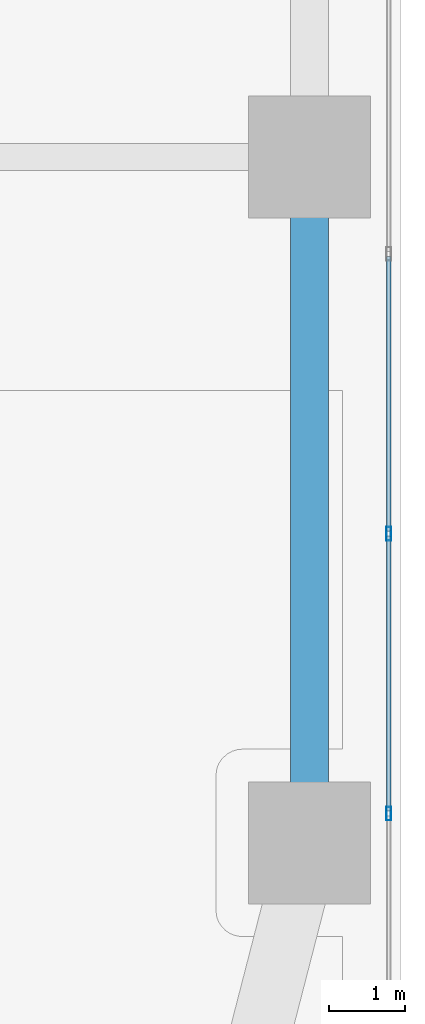
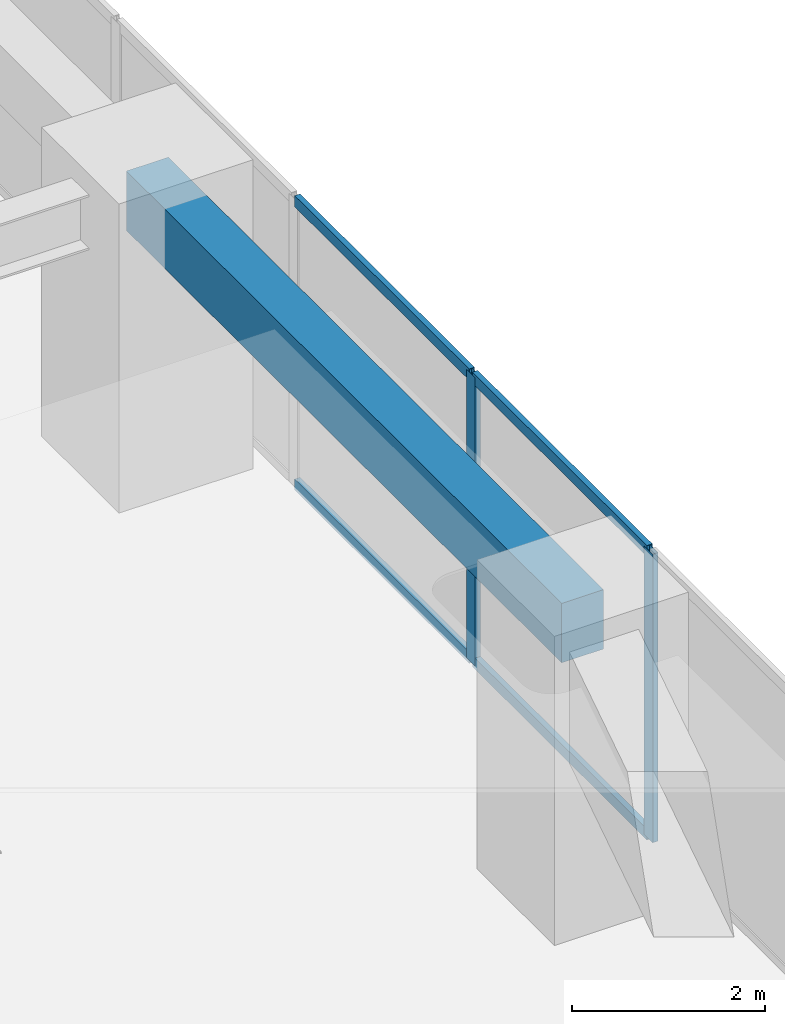
# One storey, part 6 of 29: 6 members, 1 beam, 1 element without a shape of its own.
"""IFC4 building model written with IfcOpenShell, lengths in metres."""

import ifcopenshell
import ifcopenshell.guid

model = None  # the IFC model being written
_history = None  # IfcOwnerHistory: only IFC2X3 demands one
_inside = {}  # id of a spatial element -> (the spatial element, [elements in it])
_under = {}  # id of a project, library or spatial element -> (it, [spatial elements below it])
_declared = {}  # id of a project -> (the project, [libraries it declares])
_typed = {}  # id of a type object -> (the type object, [elements of that type])
_made_of = {}  # id of a material, layer set ... -> (it, [elements and type objects made of it])


def new_model(schema):
    """Start an empty IFC model of exactly this schema.

    Asked for "IFC4X3", IfcOpenShell would pick the latest addendum, in which some entities
    have other attributes; the version numbers below select the first issue.
    IFC2X3 requires an IfcOwnerHistory on every rooted entity: one is made here for all.
    """
    global model, _history
    if schema == "IFC4X3":
        model = ifcopenshell.file(schema_version=(4, 3, 0, 0))
    else:
        model = ifcopenshell.file(schema=schema)
    _inside.clear()
    _under.clear()
    _declared.clear()
    _typed.clear()
    _made_of.clear()
    _history = None
    if model.schema == "IFC2X3":
        org = make("IfcOrganization", Name="unknown")
        user = make(
            "IfcPersonAndOrganization",
            ThePerson=make("IfcPerson", FamilyName="unknown"),
            TheOrganization=org,
        )
        app = make(
            "IfcApplication",
            ApplicationDeveloper=org,
            Version="unknown",
            ApplicationFullName="unknown",
            ApplicationIdentifier="unknown",
        )
        _history = make(
            "IfcOwnerHistory",
            OwningUser=user,
            OwningApplication=app,
            ChangeAction="ADDED",
            CreationDate=0,
        )
    return model


def make(cls, **values):
    """One entity of the class cls with the attributes given. An attribute that is None is left unset."""
    return model.create_entity(
        cls, **{name: value for name, value in values.items() if value is not None}
    )


def rooted(cls, **values):
    """An entity with a GlobalId (a new one), such as an element, a storey or a relation."""
    return make(cls, GlobalId=ifcopenshell.guid.new(), OwnerHistory=_history, **values)


def si_unit(unit_type, name, prefix=None):
    """IfcSIUnit, for example si_unit("LENGTHUNIT", "METRE", prefix="MILLI")."""
    return make("IfcSIUnit", UnitType=unit_type, Prefix=prefix, Name=name)


def assignment(units):
    """IfcUnitAssignment: the units of a project."""
    return None if units is None else make("IfcUnitAssignment", Units=units)


def point(xyz):
    """IfcCartesianPoint."""
    return None if xyz is None else make("IfcCartesianPoint", Coordinates=xyz)


def direction(xyz):
    """IfcDirection."""
    return None if xyz is None else make("IfcDirection", DirectionRatios=xyz)


def frame(location, z_axis=None, x_axis=None):
    """IfcAxis2Placement3D, a coordinate frame: its origin and axes. An axis left out is left unset."""
    return make(
        "IfcAxis2Placement3D",
        Location=point(location),
        Axis=direction(z_axis),
        RefDirection=direction(x_axis),
    )


def frame_2d(location, x_axis=None):
    """IfcAxis2Placement2D, a coordinate frame in the plane: its origin and x axis."""
    return make(
        "IfcAxis2Placement2D", Location=point(location), RefDirection=direction(x_axis)
    )


def origin():
    """The frame at (0, 0, 0) with its axes left unset."""
    return frame((0.0, 0.0, 0.0))


def origin_2d():
    """The frame at (0, 0) in the plane with its x axis left unset."""
    return frame_2d((0.0, 0.0))


def place(relative_to, where):
    """IfcLocalPlacement: puts the frame where relative to a parent placement (None: the world)."""
    return make(
        "IfcLocalPlacement", PlacementRelTo=relative_to, RelativePlacement=where
    )


def context(
    kind, dimensions, precision=None, world=None, true_north=None, identifier=None
):
    """IfcGeometricRepresentationContext, for example the 3D "Model" context."""
    return make(
        "IfcGeometricRepresentationContext",
        ContextIdentifier=identifier,
        ContextType=kind,
        CoordinateSpaceDimension=dimensions,
        Precision=precision,
        WorldCoordinateSystem=world,
        TrueNorth=true_north,
    )


def subcontext(parent, identifier, kind, view, scale=None):
    """IfcGeometricRepresentationSubContext, for example "Body" below "Model"."""
    return make(
        "IfcGeometricRepresentationSubContext",
        ContextIdentifier=identifier,
        ContextType=kind,
        ParentContext=parent,
        TargetScale=scale,
        TargetView=view,
    )


def project(units=None, contexts=None):
    """IfcProject with its units and contexts."""
    return rooted(
        "IfcProject",
        Name="project",
        RepresentationContexts=contexts,
        UnitsInContext=assignment(units),
    )


def spatial(cls, under=None, at=None, **own):
    """A site, building, storey or space (cls), placed at a placement, below another one or the project."""
    s = rooted(cls, ObjectPlacement=at, **own)
    if under is not None:
        _under.setdefault(under.id(), (under, []))[1].append(s)
    return s


def profile(cls, at=None, kind="AREA", **sizes):
    """A parametric profile (cls). Its sizes go by their IFC names, for example OverallWidth=200.0."""
    return make(cls, ProfileType=kind, Position=at, **sizes)


def rectangle(**sizes):
    """IfcRectangleProfileDef."""
    return profile("IfcRectangleProfileDef", **sizes)


def hollow_rectangle(**sizes):
    """IfcRectangleHollowProfileDef."""
    return profile("IfcRectangleHollowProfileDef", **sizes)


def extrude(swept, where, along, depth):
    """IfcExtrudedAreaSolid: the profile swept, set in the frame where, extruded along a direction by depth."""
    return make(
        "IfcExtrudedAreaSolid",
        SweptArea=swept,
        Position=where,
        ExtrudedDirection=direction(along),
        Depth=depth,
    )


def shape(context_of_items, identifier, shape_type, items):
    """IfcShapeRepresentation: the items that make up one representation, for example the "Body"."""
    return make(
        "IfcShapeRepresentation",
        ContextOfItems=context_of_items,
        RepresentationIdentifier=identifier,
        RepresentationType=shape_type,
        Items=items,
    )


def material(Name=None, Category=None):
    """IfcMaterial."""
    return make("IfcMaterial", Name=Name, Category=Category)


def layer(
    of_material, thickness, ventilated=None, Name=None, Category=None, Priority=None
):
    """IfcMaterialLayer: one layer of a wall or slab, of a material (None: an air gap)."""
    return make(
        "IfcMaterialLayer",
        Material=of_material,
        LayerThickness=thickness,
        IsVentilated=ventilated,
        Name=Name,
        Category=Category,
        Priority=Priority,
    )


def layer_set(layers, Name=None):
    """IfcMaterialLayerSet."""
    return make("IfcMaterialLayerSet", MaterialLayers=layers, LayerSetName=Name)


def material_profile(
    of_material, cross_section, Name=None, Category=None, Priority=None
):
    """IfcMaterialProfile: a cross section and its material."""
    return make(
        "IfcMaterialProfile",
        Name=Name,
        Material=of_material,
        Profile=cross_section,
        Priority=Priority,
        Category=Category,
    )


def profile_set(profiles, Name=None, composite=None):
    """IfcMaterialProfileSet."""
    return make(
        "IfcMaterialProfileSet",
        Name=Name,
        MaterialProfiles=profiles,
        CompositeProfile=composite,
    )


def made_of(thing, what):
    """Note that an element or type object is made of a material, layer set ...; save() writes the relation."""
    if what is not None:
        _made_of.setdefault(what.id(), (what, []))[1].append(thing)
    return thing


def type_object(cls, material=None, **own):
    """A type object (cls), such as IfcWallType, which elements share."""
    return made_of(rooted(cls, **own), material)


def element(
    cls,
    number,
    at=None,
    inside=None,
    cuts=None,
    type_object=None,
    material=None,
    context=None,
    identifier="Body",
    shape_type=None,
    held_by="IfcProductDefinitionShape",
    body=None,
    shapes=None,
    **own,
):
    """One element of the class cls, such as IfcWall. Its Tag is "e" and its number.

    at: its placement. inside: the storey or other place that contains it. cuts: it is an
    opening in that element (IfcRelVoidsElement). A single representation is given by context,
    identifier, shape_type and body (its items); several are given by shapes. held_by: the class
    of the entity that holds the representations. save() writes the other relations.
    """
    e = rooted(cls, Tag="e%d" % number, ObjectPlacement=at, **own)
    if body is not None:
        shapes = [shape(context, identifier, shape_type, body)]
    if shapes is not None:
        e.Representation = make(held_by, Representations=shapes)
    if inside is not None:
        _inside.setdefault(inside.id(), (inside, []))[1].append(e)
    if cuts is not None:
        rooted(
            "IfcRelVoidsElement", RelatingBuildingElement=cuts, RelatedOpeningElement=e
        )
    if type_object is not None:
        _typed.setdefault(type_object.id(), (type_object, []))[1].append(e)
    return made_of(e, material)


def aggregate(whole, parts):
    """IfcRelAggregates: a whole, such as a stair, and the parts it consists of."""
    return rooted("IfcRelAggregates", RelatingObject=whole, RelatedObjects=parts)


def save(model, path):
    """Write the relations noted so far, then the file.

    IfcRelAggregates (storeys below a building ...), IfcRelContainedInSpatialStructure (elements
    in a storey), IfcRelDefinesByType, IfcRelAssociatesMaterial and IfcRelDeclares: one each for
    every whole, place, type object, material and project.
    """
    for whole, parts in _under.values():
        aggregate(whole, parts)
    for where, things in _inside.values():
        rooted(
            "IfcRelContainedInSpatialStructure",
            RelatedElements=things,
            RelatingStructure=where,
        )
    for kind, things in _typed.values():
        rooted("IfcRelDefinesByType", RelatedObjects=things, RelatingType=kind)
    for what, things in _made_of.values():
        rooted("IfcRelAssociatesMaterial", RelatedObjects=things, RelatingMaterial=what)
    for by, libraries in _declared.values():
        rooted("IfcRelDeclares", RelatingContext=by, RelatedDefinitions=libraries)
    model.write(path)


model = new_model("IFC4")

# Units and contexts
model_context = context("Model", 3, precision=1e-05, world=origin(), true_north=direction((0.0, 1.0)))
body_context = subcontext(model_context, "Body", "Model", "MODEL_VIEW")
ifc_project = project(units=[si_unit("LENGTHUNIT", "METRE"), si_unit("AREAUNIT", "SQUARE_METRE"), si_unit("VOLUMEUNIT", "CUBIC_METRE"), si_unit("PLANEANGLEUNIT", "RADIAN"), si_unit("MASSUNIT", "GRAM", prefix="KILO")], contexts=[model_context])

# Site, building, storey
site_placement = place(None, origin())
site = spatial("IfcSite", under=ifc_project, at=site_placement, CompositionType="ELEMENT")
building_placement = place(site_placement, origin())
building = spatial("IfcBuilding", under=site, at=building_placement, Name="Kiyonajd Concourse Tower", CompositionType="ELEMENT")
storey_placement = place(building_placement, frame((0.0, 0.0, 52.800048828125)))
storey = spatial("IfcBuildingStorey", under=building, at=storey_placement, Name="L14", CompositionType="ELEMENT", Elevation=52.800048828125)

# Beam
ifc_material_1 = material(Name="Precast concrete C50/60", Category="concrete")
ifc_material_profile_1 = material_profile(ifc_material_1, rectangle(XDim=0.5, YDim=0.75, at=origin_2d()), Name="RCBM-500x750")
ifc_profile_set_1 = profile_set([ifc_material_profile_1], Name="Precast concrete C50/60")
beam_type = type_object("IfcBeamType", Name="BM-SPAN-RC", PredefinedType="SPANDREL", material=ifc_profile_set_1)
beam_placement = place(storey_placement, frame((78.0, 18.60009765625, 3.264892578125), z_axis=(0.0, 1.0, 0.0), x_axis=(-1.0, 0.0, 0.0)))
element("IfcBeam", 1, at=beam_placement, inside=storey, type_object=beam_type, Name="L14 Perimeter Bundled Tube Spandrel", PredefinedType="SPANDREL", context=body_context, shape_type="SweptSolid", body=[
    extrude(rectangle(XDim=0.5, YDim=0.75, at=origin_2d()), origin(), (0.0, 0.0, 1.0), 9.0),
])

# Curtain wall, members
ifc_material_2 = material(Name="Thermally Broken Anodised Aluminium", Category="aluminium")
ifc_layer = layer(ifc_material_2, 0.179931640625)
ifc_layer_set = layer_set([ifc_layer], Name="Thermally Broken Anodised Aluminium")
curtain_wall_type = type_object("IfcCurtainWallType", Name="CW-SYS-02", PredefinedType="NOTDEFINED", material=ifc_layer_set)
curtain_wall_placement = place(storey_placement, origin())
curtain_wall = element("IfcCurtainWall", 2, at=curtain_wall_placement, inside=storey, type_object=curtain_wall_type, Name="L14 Unitised Curtain Wall CW2", PredefinedType="NOTDEFINED")
ifc_material_profile_2 = material_profile(ifc_material_2, hollow_rectangle(XDim=0.06494140625, YDim=0.179931640625, WallThickness=0.00390625, at=origin_2d()), Name="MULL-65x180")
ifc_profile_set_2 = profile_set([ifc_material_profile_2], Name="Thermally Broken Anodised Aluminium")
member_type_1 = type_object("IfcMemberType", Name="MB-CW-MULL1", PredefinedType="MULLION", material=ifc_profile_set_2)
member_1_placement = place(storey_placement, frame((79.0400390625, 22.657470703125, 0.0), z_axis=(0.0, 0.0, 1.0), x_axis=(1.0, 0.0, 0.0)))
member_1 = element("IfcMember", 3, at=member_1_placement, type_object=member_type_1, Name="CW2 mullion 5", PredefinedType="MULLION", context=body_context, shape_type="SweptSolid", body=[
    extrude(hollow_rectangle(XDim=0.06494140625, YDim=0.179931640625, WallThickness=0.00390625, at=origin_2d()), origin(), (0.0, 0.0, 1.0), 3.639892578125),
])
member_2_placement = place(storey_placement, frame((79.0400390625, 18.984130859375, 0.0), z_axis=(0.0, 0.0, 1.0), x_axis=(1.0, 0.0, 0.0)))
member_2 = element("IfcMember", 4, at=member_2_placement, type_object=member_type_1, Name="CW2 mullion 6", PredefinedType="MULLION", context=body_context, shape_type="SweptSolid", body=[
    extrude(hollow_rectangle(XDim=0.06494140625, YDim=0.179931640625, WallThickness=0.00390625, at=origin_2d()), origin(), (0.0, 0.0, 1.0), 3.639892578125),
])
ifc_material_profile_3 = material_profile(ifc_material_2, hollow_rectangle(XDim=0.06494140625, YDim=0.139892578125, WallThickness=0.00390625, at=origin_2d()), Name="TRAN-65x140")
ifc_profile_set_3 = profile_set([ifc_material_profile_3], Name="Thermally Broken Anodised Aluminium")
member_type_2 = type_object("IfcMemberType", Name="MB-CW-TRAN1", PredefinedType="USERDEFINED", material=ifc_profile_set_3)
member_3_placement = place(storey_placement, frame((79.0400390625, 26.298095703125, 0.032470703125), z_axis=(0.0, -1.0, 0.0), x_axis=(1.0, 0.0, 0.0)))
member_3 = element("IfcMember", 5, at=member_3_placement, type_object=member_type_2, Name="CW2 transom 4.1", ObjectType="TRANSOM", PredefinedType="USERDEFINED", context=body_context, shape_type="SweptSolid", body=[
    extrude(hollow_rectangle(XDim=0.06494140625, YDim=0.139892578125, WallThickness=0.00390625, at=origin_2d()), origin(), (0.0, 0.0, 1.0), 3.608154296875),
])
member_4_placement = place(storey_placement, frame((79.0400390625, 26.298095703125, 3.607421875), z_axis=(0.0, -1.0, 0.0), x_axis=(1.0, 0.0, 0.0)))
member_4 = element("IfcMember", 6, at=member_4_placement, type_object=member_type_2, Name="CW2 transom 4.2", ObjectType="TRANSOM", PredefinedType="USERDEFINED", context=body_context, shape_type="SweptSolid", body=[
    extrude(hollow_rectangle(XDim=0.06494140625, YDim=0.139892578125, WallThickness=0.00390625, at=origin_2d()), origin(), (0.0, 0.0, 1.0), 3.608154296875),
])
member_5_placement = place(storey_placement, frame((79.0400390625, 22.625, 0.032470703125), z_axis=(0.0, -1.0, 0.0), x_axis=(1.0, 0.0, 0.0)))
member_5 = element("IfcMember", 7, at=member_5_placement, type_object=member_type_2, Name="CW2 transom 5.1", ObjectType="TRANSOM", PredefinedType="USERDEFINED", context=body_context, shape_type="SweptSolid", body=[
    extrude(hollow_rectangle(XDim=0.06494140625, YDim=0.139892578125, WallThickness=0.00390625, at=origin_2d()), origin(), (0.0, 0.0, 1.0), 3.608154296875),
])
member_6_placement = place(storey_placement, frame((79.0400390625, 22.625, 3.607421875), z_axis=(0.0, -1.0, 0.0), x_axis=(1.0, 0.0, 0.0)))
member_6 = element("IfcMember", 8, at=member_6_placement, type_object=member_type_2, Name="CW2 transom 5.2", ObjectType="TRANSOM", PredefinedType="USERDEFINED", context=body_context, shape_type="SweptSolid", body=[
    extrude(hollow_rectangle(XDim=0.06494140625, YDim=0.139892578125, WallThickness=0.00390625, at=origin_2d()), origin(), (0.0, 0.0, 1.0), 3.608154296875),
])
aggregate(curtain_wall, [member_1, member_2, member_3, member_4, member_5, member_6])

save(model, "model.ifc")
